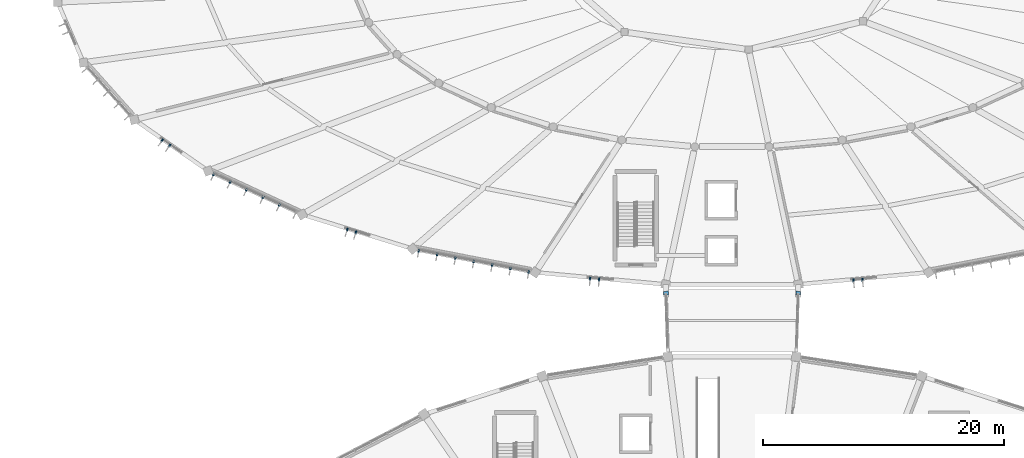
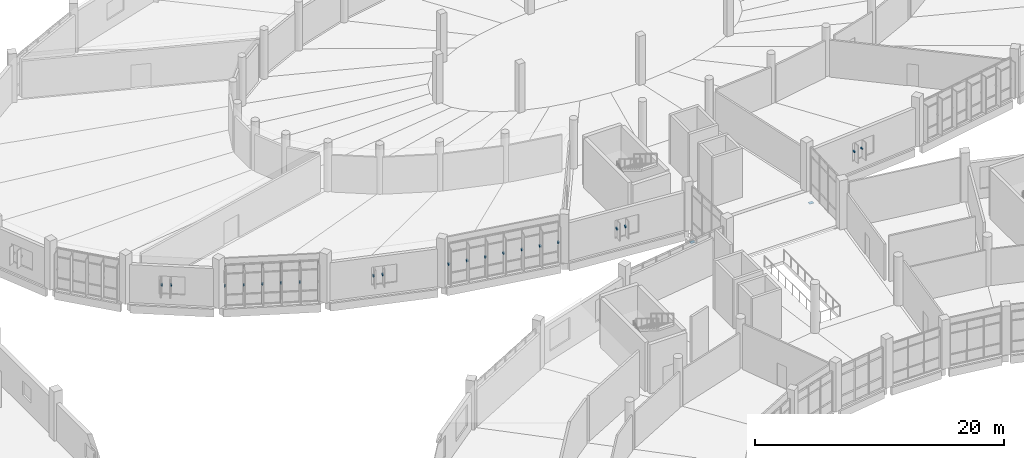
# One storey, part 139 of 179: 22 discrete accessories.
"""IFC4 building model written with IfcOpenShell, lengths in metres."""

from ifc_helpers import new_model, si_unit, direction, frame, origin, origin_2d, place, context, subcontext, project, spatial, rectangle, extrude, material, type_object, element, save


model = new_model("IFC4")

# Units and contexts
model_context = context("Model", 3, precision=1e-05, world=origin(), true_north=direction((0.0, 1.0)))
body_context = subcontext(model_context, "Body", "Model", "MODEL_VIEW")
ifc_project = project(units=[si_unit("LENGTHUNIT", "METRE"), si_unit("AREAUNIT", "SQUARE_METRE"), si_unit("VOLUMEUNIT", "CUBIC_METRE"), si_unit("PLANEANGLEUNIT", "RADIAN"), si_unit("MASSUNIT", "GRAM", prefix="KILO")], contexts=[model_context])

# Site, building, storey
site_placement = place(None, origin())
site = spatial("IfcSite", under=ifc_project, at=site_placement, CompositionType="ELEMENT")
building_placement = place(site_placement, origin())
building = spatial("IfcBuilding", under=site, at=building_placement, Name="Corvandel Quay Wholesale Market", CompositionType="ELEMENT")
storey_placement = place(building_placement, frame((0.0, 0.0, 6.0)))
storey = spatial("IfcBuildingStorey", under=building, at=storey_placement, Name="L01", CompositionType="ELEMENT", Elevation=6.0)

# Discrete accessories
ifc_material_1 = material(Name="Austenitic stainless steel Grade 316", Category="steel")
discrete_accessory_type_1 = type_object("IfcDiscreteAccessoryType", Name="Stainless Solar Fin Fixing Bracket BRK01", PredefinedType="USERDEFINED", material=ifc_material_1)
for number, where, z_axis, x_axis, name in (
    (1, (66.681884765625, 101.9580078125, 1.80517578125), (0.0, 0.0, 1.0), (0.570570241419, 0.821248804935, 0.0), "Fin Bracket 0451"),
    (2, (67.2978515625, 101.5302734375, 1.80517578125), (0.0, 0.0, 1.0), (0.570570241419, 0.821248804935, 0.0), "Fin Bracket 0452"),
):
    element("IfcDiscreteAccessory", number, at=place(storey_placement, frame(where, z_axis=z_axis, x_axis=x_axis)), inside=storey, type_object=discrete_accessory_type_1, Name=name, ObjectType="BRACKET", PredefinedType="USERDEFINED", context=body_context, shape_type="SweptSolid", body=[
        extrude(rectangle(XDim=0.280029296875, YDim=0.1201171875, at=origin_2d()), origin(), (0.0, 0.0, 1.0), 0.139892578125),
    ])
for number, where, z_axis, x_axis, name in (
    (3, (70.966552734375, 99.144287109375, 1.9052734375), (0.0, 0.0, 1.0), (0.421194115999, 0.906970515865, 0.0), "Fin Bracket 0457"),
    (4, (72.33056640625, 98.5107421875, 1.9052734375), (0.0, 0.0, 1.0), (0.421194115999, 0.906970515865, 0.0), "Fin Bracket 0458"),
    (5, (73.694580078125, 97.877197265625, 1.9052734375), (0.0, 0.0, 1.0), (0.421194115999, 0.906970515865, 0.0), "Fin Bracket 0459"),
    (6, (75.058837890625, 97.243896484375, 1.9052734375), (0.0, 0.0, 1.0), (0.421194115999, 0.906970515865, 0.0), "Fin Bracket 0460"),
    (7, (76.4228515625, 96.6103515625, 1.9052734375), (0.0, 0.0, 1.0), (0.421194115999, 0.906970515865, 0.0), "Fin Bracket 0461"),
):
    element("IfcDiscreteAccessory", number, at=place(storey_placement, frame(where, z_axis=z_axis, x_axis=x_axis)), inside=storey, type_object=discrete_accessory_type_1, Name=name, ObjectType="BRACKET", PredefinedType="USERDEFINED", context=body_context, shape_type="SweptSolid", body=[
        extrude(rectangle(XDim=0.239990234375, YDim=0.1201171875, at=origin_2d()), origin(), (0.0, 0.0, 1.0), 0.139892578125),
    ])
for number, where, z_axis, x_axis, name in (
    (8, (82.046875, 94.53759765625, 1.80517578125), (0.0, 0.0, 1.0), (0.296208192067, 0.955123398809, 0.0), "Fin Bracket 0470"),
    (9, (82.76318359375, 94.3154296875, 1.80517578125), (0.0, 0.0, 1.0), (0.296208192067, 0.955123398809, 0.0), "Fin Bracket 0471"),
):
    element("IfcDiscreteAccessory", number, at=place(storey_placement, frame(where, z_axis=z_axis, x_axis=x_axis)), inside=storey, type_object=discrete_accessory_type_1, Name=name, ObjectType="BRACKET", PredefinedType="USERDEFINED", context=body_context, shape_type="SweptSolid", body=[
        extrude(rectangle(XDim=0.280029296875, YDim=0.1201171875, at=origin_2d()), origin(), (0.0, 0.0, 1.0), 0.139892578125),
    ])
for number, where, z_axis, x_axis, name in (
    (10, (87.992919921875, 92.798095703125, 1.9052734375), (0.0, 0.0, 1.0), (0.188924055984, 0.981991701121, 0.0), "Fin Bracket 0475"),
    (11, (89.5146484375, 92.50537109375, 1.9052734375), (0.0, 0.0, 1.0), (0.188924055984, 0.981991701121, 0.0), "Fin Bracket 0476"),
    (12, (91.036376953125, 92.212646484375, 1.9052734375), (0.0, 0.0, 1.0), (0.188924055984, 0.981991701121, 0.0), "Fin Bracket 0477"),
    (13, (92.55810546875, 91.920166015625, 1.9052734375), (0.0, 0.0, 1.0), (0.188924055984, 0.981991701121, 0.0), "Fin Bracket 0478"),
    (14, (94.079833984375, 91.62744140625, 1.9052734375), (0.0, 0.0, 1.0), (0.188924055984, 0.981991701121, 0.0), "Fin Bracket 0479"),
    (15, (95.6015625, 91.334716796875, 1.9052734375), (0.0, 0.0, 1.0), (0.188924055984, 0.981991701121, 0.0), "Fin Bracket 0480"),
    (16, (97.123291015625, 91.0419921875, 1.9052734375), (0.0, 0.0, 1.0), (0.188924055984, 0.981991701121, 0.0), "Fin Bracket 0481"),
):
    element("IfcDiscreteAccessory", number, at=place(storey_placement, frame(where, z_axis=z_axis, x_axis=x_axis)), inside=storey, type_object=discrete_accessory_type_1, Name=name, ObjectType="BRACKET", PredefinedType="USERDEFINED", context=body_context, shape_type="SweptSolid", body=[
        extrude(rectangle(XDim=0.239990234375, YDim=0.1201171875, at=origin_2d()), origin(), (0.0, 0.0, 1.0), 0.139892578125),
    ])
for number, where, z_axis, x_axis, name in (
    (17, (102.218505859375, 90.47802734375, 1.80517578125), (0.0, 0.0, 1.0), (0.092023008338, 0.995756880939, 0.0), "Fin Bracket 0498"),
    (18, (102.965087890625, 90.4091796875, 1.80517578125), (0.0, 0.0, 1.0), (0.092023008338, 0.995756880939, 0.0), "Fin Bracket 0499"),
    (19, (124.087890625, 90.32177734375, 1.80517578125), (0.0, 0.0, 1.0), (-0.092023008338, 0.995756880939, 0.0), "Fin Bracket 0520"),
    (20, (124.834716796875, 90.390625, 1.80517578125), (0.0, 0.0, 1.0), (-0.092023008338, 0.995756880939, 0.0), "Fin Bracket 0521"),
):
    element("IfcDiscreteAccessory", number, at=place(storey_placement, frame(where, z_axis=z_axis, x_axis=x_axis)), inside=storey, type_object=discrete_accessory_type_1, Name=name, ObjectType="BRACKET", PredefinedType="USERDEFINED", context=body_context, shape_type="SweptSolid", body=[
        extrude(rectangle(XDim=0.280029296875, YDim=0.1201171875, at=origin_2d()), origin(), (0.0, 0.0, 1.0), 0.139892578125),
    ])
ifc_material_2 = material(Name="PTFE elastomeric bearing assembly")
discrete_accessory_type_2 = type_object("IfcDiscreteAccessoryType", Name="Unguided Bi-Directional PTFE Sliding Bearing SBG01", PredefinedType="USERDEFINED", material=ifc_material_2)
for number, where, z_axis, x_axis, name in (
    (21, (108.507568359375, 89.285400390625, -0.943115234375), (0.0, 0.0, 1.0), (-0.032806302436, 0.999461728392, 0.0), "PTFE Sliding Bearing SBG-001"),
    (22, (119.492431640625, 89.285400390625, -0.943115234375), (0.0, 0.0, 1.0), (0.032806302436, 0.999461728392, 0.0), "PTFE Sliding Bearing SBG-002"),
):
    element("IfcDiscreteAccessory", number, at=place(storey_placement, frame(where, z_axis=z_axis, x_axis=x_axis)), inside=storey, type_object=discrete_accessory_type_2, Name=name, ObjectType="SLIDING BEARING", PredefinedType="USERDEFINED", context=body_context, shape_type="SweptSolid", body=[
        extrude(rectangle(XDim=0.300048828125, YDim=0.39990234375, at=origin_2d()), origin(), (0.0, 0.0, 1.0), 0.0400390625),
    ])

save(model, "model.ifc")
